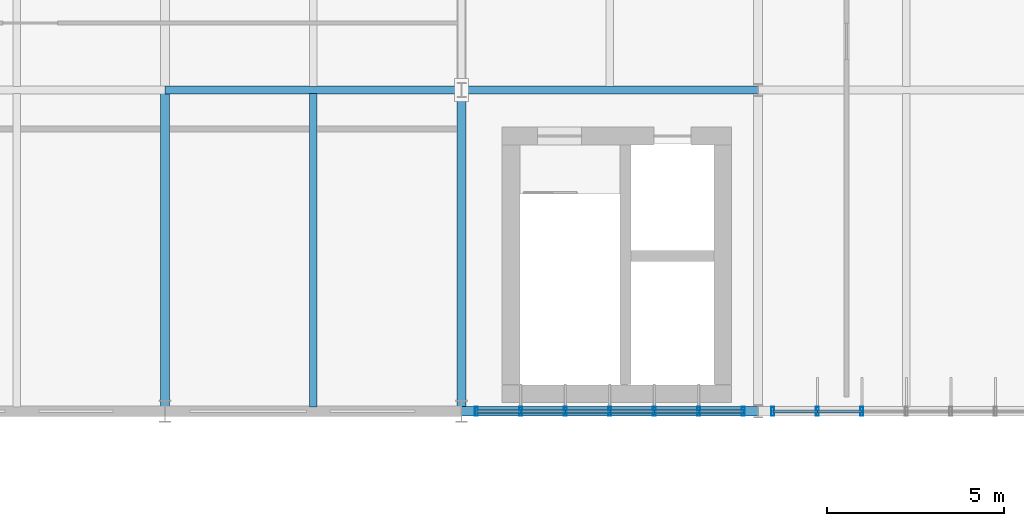
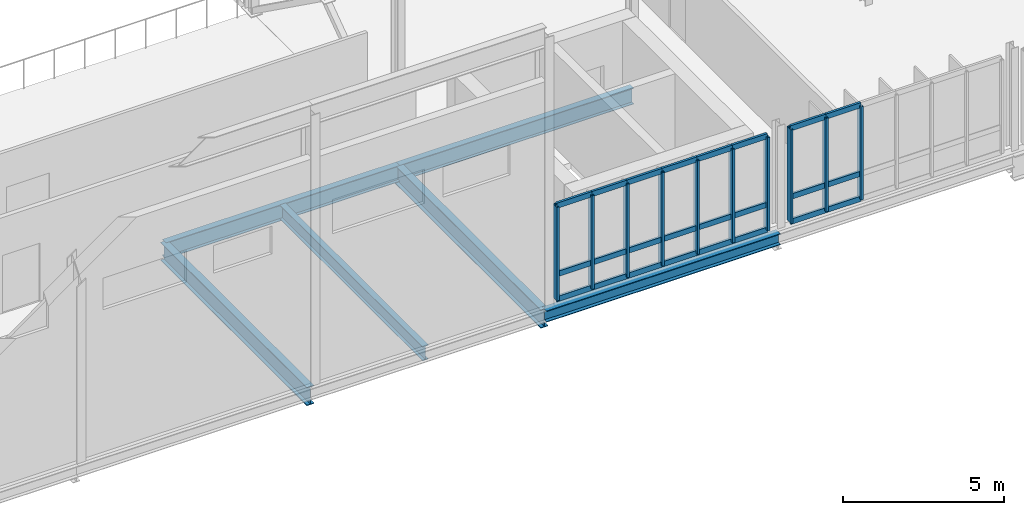
# One storey, part 32 of 61: 34 members, 6 beams, 2 elements without a shape of their own.
"""IFC4 building model written with IfcOpenShell, lengths in metres."""

from ifc_helpers import new_model, si_unit, derived_unit, direction, frame, origin, origin_2d, place, context, subcontext, project, spatial, hollow_rectangle, i_section, extrude, material, layer, layer_set, material_profile, profile_set, type_object, element, aggregate, save


model = new_model("IFC4")

# Units and contexts
model_context = context("Model", 3, precision=1e-05, world=origin(), true_north=direction((0.0, 1.0)))
body_context = subcontext(model_context, "Body", "Model", "MODEL_VIEW")
ifc_project = project(units=[si_unit("LENGTHUNIT", "METRE"), si_unit("AREAUNIT", "SQUARE_METRE"), si_unit("VOLUMEUNIT", "CUBIC_METRE"), si_unit("PLANEANGLEUNIT", "RADIAN"), si_unit("MASSUNIT", "GRAM", prefix="KILO"), derived_unit("THERMALTRANSMITTANCEUNIT", [(si_unit("MASSUNIT", "GRAM", prefix="KILO"), 1), (si_unit("TIMEUNIT", "SECOND"), -3), (si_unit("THERMODYNAMICTEMPERATUREUNIT", "KELVIN"), -1)])], contexts=[model_context])

# Site, building, storey
site_placement = place(None, origin())
site = spatial("IfcSite", under=ifc_project, at=site_placement, CompositionType="ELEMENT")
building_placement = place(site_placement, origin())
building = spatial("IfcBuilding", under=site, at=building_placement, Name="Makaiwela Harbour Ferry Terminal", CompositionType="ELEMENT")
storey_placement = place(building_placement, frame((0.0, 0.0, 13.800048828125)))
storey = spatial("IfcBuildingStorey", under=building, at=storey_placement, Name="L03", CompositionType="ELEMENT", Elevation=13.800048828125)

# Curtain wall, members
ifc_material_1 = material(Name="Marine anodised aluminium 6063-T6", Category="aluminium")
ifc_layer = layer(ifc_material_1, 0.199951171875)
ifc_layer_set = layer_set([ifc_layer], Name="Marine anodised aluminium 6063-T6")
curtain_wall_type = type_object("IfcCurtainWallType", Name="ENV-CW-15", PredefinedType="USERDEFINED", material=ifc_layer_set)
curtain_wall_1_placement = place(storey_placement, origin())
curtain_wall_1 = element("IfcCurtainWall", 1, at=curtain_wall_1_placement, inside=storey, type_object=curtain_wall_type, Name="Unitised Curtain Wall CWA-153", ObjectType="UNITIZED CURTAIN WALL", PredefinedType="USERDEFINED")
ifc_material_profile_1 = material_profile(ifc_material_1, hollow_rectangle(XDim=0.0849609375, YDim=0.25, WallThickness=0.0048828125, at=origin_2d()), Name="CWM-250X85")
ifc_profile_set_1 = profile_set([ifc_material_profile_1], Name="Marine anodised aluminium 6063-T6")
member_type_1 = type_object("IfcMemberType", Name="CW-MUL-250", PredefinedType="MULLION", material=ifc_profile_set_1)
member_1_placement = place(storey_placement, frame((146.580078125, 49.39990234375, 0.0), z_axis=(0.0, 0.0, 1.0), x_axis=(1.0, 0.0, 0.0)))
member_1 = element("IfcMember", 2, at=member_1_placement, type_object=member_type_1, Name="Curtain Wall Mullion CWA-153-1", PredefinedType="MULLION", context=body_context, shape_type="SweptSolid", body=[
    extrude(hollow_rectangle(XDim=0.0849609375, YDim=0.25, WallThickness=0.0048828125, at=origin_2d()), origin(), (0.0, 0.0, 1.0), 3.550048828125),
])
member_2_placement = place(storey_placement, frame((145.320068359375, 49.39990234375, 0.0), z_axis=(0.0, 0.0, 1.0), x_axis=(1.0, 0.0, 0.0)))
member_2 = element("IfcMember", 3, at=member_2_placement, type_object=member_type_1, Name="Curtain Wall Mullion CWA-153-2", PredefinedType="MULLION", context=body_context, shape_type="SweptSolid", body=[
    extrude(hollow_rectangle(XDim=0.0849609375, YDim=0.25, WallThickness=0.0048828125, at=origin_2d()), origin(), (0.0, 0.0, 1.0), 3.550048828125),
])
member_3_placement = place(storey_placement, frame((144.06005859375, 49.39990234375, 0.0), z_axis=(0.0, 0.0, 1.0), x_axis=(1.0, 0.0, 0.0)))
member_3 = element("IfcMember", 4, at=member_3_placement, type_object=member_type_1, Name="Curtain Wall Mullion CWA-153-3", PredefinedType="MULLION", context=body_context, shape_type="SweptSolid", body=[
    extrude(hollow_rectangle(XDim=0.0849609375, YDim=0.25, WallThickness=0.0048828125, at=origin_2d()), origin(), (0.0, 0.0, 1.0), 3.550048828125),
])
member_4_placement = place(storey_placement, frame((142.800048828125, 49.39990234375, 0.0), z_axis=(0.0, 0.0, 1.0), x_axis=(1.0, 0.0, 0.0)))
member_4 = element("IfcMember", 5, at=member_4_placement, type_object=member_type_1, Name="Curtain Wall Mullion CWA-153-4", PredefinedType="MULLION", context=body_context, shape_type="SweptSolid", body=[
    extrude(hollow_rectangle(XDim=0.0849609375, YDim=0.25, WallThickness=0.0048828125, at=origin_2d()), origin(), (0.0, 0.0, 1.0), 3.550048828125),
])
member_5_placement = place(storey_placement, frame((141.5400390625, 49.39990234375, 0.0), z_axis=(0.0, 0.0, 1.0), x_axis=(1.0, 0.0, 0.0)))
member_5 = element("IfcMember", 6, at=member_5_placement, type_object=member_type_1, Name="Curtain Wall Mullion CWA-153-5", PredefinedType="MULLION", context=body_context, shape_type="SweptSolid", body=[
    extrude(hollow_rectangle(XDim=0.0849609375, YDim=0.25, WallThickness=0.0048828125, at=origin_2d()), origin(), (0.0, 0.0, 1.0), 3.550048828125),
])
member_6_placement = place(storey_placement, frame((140.280029296875, 49.39990234375, 0.0), z_axis=(0.0, 0.0, 1.0), x_axis=(1.0, 0.0, 0.0)))
member_6 = element("IfcMember", 7, at=member_6_placement, type_object=member_type_1, Name="Curtain Wall Mullion CWA-153-6", PredefinedType="MULLION", context=body_context, shape_type="SweptSolid", body=[
    extrude(hollow_rectangle(XDim=0.0849609375, YDim=0.25, WallThickness=0.0048828125, at=origin_2d()), origin(), (0.0, 0.0, 1.0), 3.550048828125),
])
member_7_placement = place(storey_placement, frame((139.02001953125, 49.39990234375, 0.0), z_axis=(0.0, 0.0, 1.0), x_axis=(1.0, 0.0, 0.0)))
member_7 = element("IfcMember", 8, at=member_7_placement, type_object=member_type_1, Name="Curtain Wall Mullion CWA-153-7", PredefinedType="MULLION", context=body_context, shape_type="SweptSolid", body=[
    extrude(hollow_rectangle(XDim=0.0849609375, YDim=0.25, WallThickness=0.0048828125, at=origin_2d()), origin(), (0.0, 0.0, 1.0), 3.550048828125),
])

curtain_wall_2_placement = place(storey_placement, origin())
curtain_wall_2 = element("IfcCurtainWall", 9, at=curtain_wall_2_placement, inside=storey, type_object=curtain_wall_type, Name="Unitised Curtain Wall CWA-155", ObjectType="UNITIZED CURTAIN WALL", PredefinedType="USERDEFINED")
member_8_placement = place(storey_placement, frame((149.93994140625, 49.39990234375, 0.0), z_axis=(0.0, 0.0, 1.0), x_axis=(1.0, 0.0, 0.0)))
member_8 = element("IfcMember", 10, at=member_8_placement, type_object=member_type_1, Name="Curtain Wall Mullion CWA-155-5", PredefinedType="MULLION", context=body_context, shape_type="SweptSolid", body=[
    extrude(hollow_rectangle(XDim=0.0849609375, YDim=0.25, WallThickness=0.0048828125, at=origin_2d()), origin(), (0.0, 0.0, 1.0), 3.550048828125),
])
member_9_placement = place(storey_placement, frame((148.679931640625, 49.39990234375, 0.0), z_axis=(0.0, 0.0, 1.0), x_axis=(1.0, 0.0, 0.0)))
member_9 = element("IfcMember", 11, at=member_9_placement, type_object=member_type_1, Name="Curtain Wall Mullion CWA-155-6", PredefinedType="MULLION", context=body_context, shape_type="SweptSolid", body=[
    extrude(hollow_rectangle(XDim=0.0849609375, YDim=0.25, WallThickness=0.0048828125, at=origin_2d()), origin(), (0.0, 0.0, 1.0), 3.550048828125),
])
member_10_placement = place(storey_placement, frame((147.419921875, 49.39990234375, 0.0), z_axis=(0.0, 0.0, 1.0), x_axis=(1.0, 0.0, 0.0)))
member_10 = element("IfcMember", 12, at=member_10_placement, type_object=member_type_1, Name="Curtain Wall Mullion CWA-155-7", PredefinedType="MULLION", context=body_context, shape_type="SweptSolid", body=[
    extrude(hollow_rectangle(XDim=0.0849609375, YDim=0.25, WallThickness=0.0048828125, at=origin_2d()), origin(), (0.0, 0.0, 1.0), 3.550048828125),
])

# Member
ifc_material_profile_2 = material_profile(ifc_material_1, hollow_rectangle(XDim=0.0849609375, YDim=0.199951171875, WallThickness=0.0048828125, at=origin_2d()), Name="CWT-200X85")
ifc_profile_set_2 = profile_set([ifc_material_profile_2], Name="Marine anodised aluminium 6063-T6")
member_type_2 = type_object("IfcMemberType", Name="CW-TRN-200", PredefinedType="USERDEFINED", material=ifc_profile_set_2)
member_11_placement = place(storey_placement, frame((146.580078125, 49.39990234375, 0.0), z_axis=(-1.0, 0.0, 0.0), x_axis=(0.0, -1.0, 0.0)))
member_11 = element("IfcMember", 13, at=member_11_placement, type_object=member_type_2, Name="Curtain Wall Transom CWA-153-1-1", ObjectType="TRANSOM", PredefinedType="USERDEFINED", context=body_context, shape_type="SweptSolid", body=[
    extrude(hollow_rectangle(XDim=0.0849609375, YDim=0.199951171875, WallThickness=0.0048828125, at=origin_2d()), origin(), (0.0, 0.0, 1.0), 1.260009765625),
])

member_12_placement = place(storey_placement, frame((146.580078125, 49.39990234375, 0.949951171875), z_axis=(-1.0, 0.0, 0.0), x_axis=(0.0, -1.0, 0.0)))
member_12 = element("IfcMember", 14, at=member_12_placement, type_object=member_type_2, Name="Curtain Wall Transom CWA-153-1-2", ObjectType="TRANSOM", PredefinedType="USERDEFINED", context=body_context, shape_type="SweptSolid", body=[
    extrude(hollow_rectangle(XDim=0.0849609375, YDim=0.199951171875, WallThickness=0.0048828125, at=origin_2d()), origin(), (0.0, 0.0, 1.0), 1.260009765625),
])

member_13_placement = place(storey_placement, frame((146.580078125, 49.39990234375, 3.550048828125), z_axis=(-1.0, 0.0, 0.0), x_axis=(0.0, -1.0, 0.0)))
member_13 = element("IfcMember", 15, at=member_13_placement, type_object=member_type_2, Name="Curtain Wall Transom CWA-153-1-3", ObjectType="TRANSOM", PredefinedType="USERDEFINED", context=body_context, shape_type="SweptSolid", body=[
    extrude(hollow_rectangle(XDim=0.0849609375, YDim=0.199951171875, WallThickness=0.0048828125, at=origin_2d()), origin(), (0.0, 0.0, 1.0), 1.260009765625),
])

member_14_placement = place(storey_placement, frame((145.320068359375, 49.39990234375, 0.0), z_axis=(-1.0, 0.0, 0.0), x_axis=(0.0, -1.0, 0.0)))
member_14 = element("IfcMember", 16, at=member_14_placement, type_object=member_type_2, Name="Curtain Wall Transom CWA-153-2-1", ObjectType="TRANSOM", PredefinedType="USERDEFINED", context=body_context, shape_type="SweptSolid", body=[
    extrude(hollow_rectangle(XDim=0.0849609375, YDim=0.199951171875, WallThickness=0.0048828125, at=origin_2d()), origin(), (0.0, 0.0, 1.0), 1.260009765625),
])

member_15_placement = place(storey_placement, frame((145.320068359375, 49.39990234375, 0.949951171875), z_axis=(-1.0, 0.0, 0.0), x_axis=(0.0, -1.0, 0.0)))
member_15 = element("IfcMember", 17, at=member_15_placement, type_object=member_type_2, Name="Curtain Wall Transom CWA-153-2-2", ObjectType="TRANSOM", PredefinedType="USERDEFINED", context=body_context, shape_type="SweptSolid", body=[
    extrude(hollow_rectangle(XDim=0.0849609375, YDim=0.199951171875, WallThickness=0.0048828125, at=origin_2d()), origin(), (0.0, 0.0, 1.0), 1.260009765625),
])

member_16_placement = place(storey_placement, frame((145.320068359375, 49.39990234375, 3.550048828125), z_axis=(-1.0, 0.0, 0.0), x_axis=(0.0, -1.0, 0.0)))
member_16 = element("IfcMember", 18, at=member_16_placement, type_object=member_type_2, Name="Curtain Wall Transom CWA-153-2-3", ObjectType="TRANSOM", PredefinedType="USERDEFINED", context=body_context, shape_type="SweptSolid", body=[
    extrude(hollow_rectangle(XDim=0.0849609375, YDim=0.199951171875, WallThickness=0.0048828125, at=origin_2d()), origin(), (0.0, 0.0, 1.0), 1.260009765625),
])

member_17_placement = place(storey_placement, frame((144.06005859375, 49.39990234375, 0.0), z_axis=(-1.0, 0.0, 0.0), x_axis=(0.0, -1.0, 0.0)))
member_17 = element("IfcMember", 19, at=member_17_placement, type_object=member_type_2, Name="Curtain Wall Transom CWA-153-3-1", ObjectType="TRANSOM", PredefinedType="USERDEFINED", context=body_context, shape_type="SweptSolid", body=[
    extrude(hollow_rectangle(XDim=0.0849609375, YDim=0.199951171875, WallThickness=0.0048828125, at=origin_2d()), origin(), (0.0, 0.0, 1.0), 1.260009765625),
])

member_18_placement = place(storey_placement, frame((144.06005859375, 49.39990234375, 0.949951171875), z_axis=(-1.0, 0.0, 0.0), x_axis=(0.0, -1.0, 0.0)))
member_18 = element("IfcMember", 20, at=member_18_placement, type_object=member_type_2, Name="Curtain Wall Transom CWA-153-3-2", ObjectType="TRANSOM", PredefinedType="USERDEFINED", context=body_context, shape_type="SweptSolid", body=[
    extrude(hollow_rectangle(XDim=0.0849609375, YDim=0.199951171875, WallThickness=0.0048828125, at=origin_2d()), origin(), (0.0, 0.0, 1.0), 1.260009765625),
])

member_19_placement = place(storey_placement, frame((144.06005859375, 49.39990234375, 3.550048828125), z_axis=(-1.0, 0.0, 0.0), x_axis=(0.0, -1.0, 0.0)))
member_19 = element("IfcMember", 21, at=member_19_placement, type_object=member_type_2, Name="Curtain Wall Transom CWA-153-3-3", ObjectType="TRANSOM", PredefinedType="USERDEFINED", context=body_context, shape_type="SweptSolid", body=[
    extrude(hollow_rectangle(XDim=0.0849609375, YDim=0.199951171875, WallThickness=0.0048828125, at=origin_2d()), origin(), (0.0, 0.0, 1.0), 1.260009765625),
])

member_20_placement = place(storey_placement, frame((142.800048828125, 49.39990234375, 0.0), z_axis=(-1.0, 0.0, 0.0), x_axis=(0.0, -1.0, 0.0)))
member_20 = element("IfcMember", 22, at=member_20_placement, type_object=member_type_2, Name="Curtain Wall Transom CWA-153-4-1", ObjectType="TRANSOM", PredefinedType="USERDEFINED", context=body_context, shape_type="SweptSolid", body=[
    extrude(hollow_rectangle(XDim=0.0849609375, YDim=0.199951171875, WallThickness=0.0048828125, at=origin_2d()), origin(), (0.0, 0.0, 1.0), 1.260009765625),
])

member_21_placement = place(storey_placement, frame((142.800048828125, 49.39990234375, 0.949951171875), z_axis=(-1.0, 0.0, 0.0), x_axis=(0.0, -1.0, 0.0)))
member_21 = element("IfcMember", 23, at=member_21_placement, type_object=member_type_2, Name="Curtain Wall Transom CWA-153-4-2", ObjectType="TRANSOM", PredefinedType="USERDEFINED", context=body_context, shape_type="SweptSolid", body=[
    extrude(hollow_rectangle(XDim=0.0849609375, YDim=0.199951171875, WallThickness=0.0048828125, at=origin_2d()), origin(), (0.0, 0.0, 1.0), 1.260009765625),
])

member_22_placement = place(storey_placement, frame((142.800048828125, 49.39990234375, 3.550048828125), z_axis=(-1.0, 0.0, 0.0), x_axis=(0.0, -1.0, 0.0)))
member_22 = element("IfcMember", 24, at=member_22_placement, type_object=member_type_2, Name="Curtain Wall Transom CWA-153-4-3", ObjectType="TRANSOM", PredefinedType="USERDEFINED", context=body_context, shape_type="SweptSolid", body=[
    extrude(hollow_rectangle(XDim=0.0849609375, YDim=0.199951171875, WallThickness=0.0048828125, at=origin_2d()), origin(), (0.0, 0.0, 1.0), 1.260009765625),
])

member_23_placement = place(storey_placement, frame((141.5400390625, 49.39990234375, 0.0), z_axis=(-1.0, 0.0, 0.0), x_axis=(0.0, -1.0, 0.0)))
member_23 = element("IfcMember", 25, at=member_23_placement, type_object=member_type_2, Name="Curtain Wall Transom CWA-153-5-1", ObjectType="TRANSOM", PredefinedType="USERDEFINED", context=body_context, shape_type="SweptSolid", body=[
    extrude(hollow_rectangle(XDim=0.0849609375, YDim=0.199951171875, WallThickness=0.0048828125, at=origin_2d()), origin(), (0.0, 0.0, 1.0), 1.260009765625),
])

member_24_placement = place(storey_placement, frame((141.5400390625, 49.39990234375, 0.949951171875), z_axis=(-1.0, 0.0, 0.0), x_axis=(0.0, -1.0, 0.0)))
member_24 = element("IfcMember", 26, at=member_24_placement, type_object=member_type_2, Name="Curtain Wall Transom CWA-153-5-2", ObjectType="TRANSOM", PredefinedType="USERDEFINED", context=body_context, shape_type="SweptSolid", body=[
    extrude(hollow_rectangle(XDim=0.0849609375, YDim=0.199951171875, WallThickness=0.0048828125, at=origin_2d()), origin(), (0.0, 0.0, 1.0), 1.260009765625),
])

member_25_placement = place(storey_placement, frame((141.5400390625, 49.39990234375, 3.550048828125), z_axis=(-1.0, 0.0, 0.0), x_axis=(0.0, -1.0, 0.0)))
member_25 = element("IfcMember", 27, at=member_25_placement, type_object=member_type_2, Name="Curtain Wall Transom CWA-153-5-3", ObjectType="TRANSOM", PredefinedType="USERDEFINED", context=body_context, shape_type="SweptSolid", body=[
    extrude(hollow_rectangle(XDim=0.0849609375, YDim=0.199951171875, WallThickness=0.0048828125, at=origin_2d()), origin(), (0.0, 0.0, 1.0), 1.260009765625),
])

member_26_placement = place(storey_placement, frame((140.280029296875, 49.39990234375, 0.0), z_axis=(-1.0, 0.0, 0.0), x_axis=(0.0, -1.0, 0.0)))
member_26 = element("IfcMember", 28, at=member_26_placement, type_object=member_type_2, Name="Curtain Wall Transom CWA-153-6-1", ObjectType="TRANSOM", PredefinedType="USERDEFINED", context=body_context, shape_type="SweptSolid", body=[
    extrude(hollow_rectangle(XDim=0.0849609375, YDim=0.199951171875, WallThickness=0.0048828125, at=origin_2d()), origin(), (0.0, 0.0, 1.0), 1.260009765625),
])

member_27_placement = place(storey_placement, frame((140.280029296875, 49.39990234375, 0.949951171875), z_axis=(-1.0, 0.0, 0.0), x_axis=(0.0, -1.0, 0.0)))
member_27 = element("IfcMember", 29, at=member_27_placement, type_object=member_type_2, Name="Curtain Wall Transom CWA-153-6-2", ObjectType="TRANSOM", PredefinedType="USERDEFINED", context=body_context, shape_type="SweptSolid", body=[
    extrude(hollow_rectangle(XDim=0.0849609375, YDim=0.199951171875, WallThickness=0.0048828125, at=origin_2d()), origin(), (0.0, 0.0, 1.0), 1.260009765625),
])

member_28_placement = place(storey_placement, frame((140.280029296875, 49.39990234375, 3.550048828125), z_axis=(-1.0, 0.0, 0.0), x_axis=(0.0, -1.0, 0.0)))
member_28 = element("IfcMember", 30, at=member_28_placement, type_object=member_type_2, Name="Curtain Wall Transom CWA-153-6-3", ObjectType="TRANSOM", PredefinedType="USERDEFINED", context=body_context, shape_type="SweptSolid", body=[
    extrude(hollow_rectangle(XDim=0.0849609375, YDim=0.199951171875, WallThickness=0.0048828125, at=origin_2d()), origin(), (0.0, 0.0, 1.0), 1.260009765625),
])

aggregate(curtain_wall_1, [member_1, member_2, member_3, member_4, member_5, member_6, member_7, member_11, member_12, member_13, member_14, member_15, member_16, member_17, member_18, member_19, member_20, member_21, member_22, member_23, member_24, member_25, member_26, member_27, member_28])

member_29_placement = place(storey_placement, frame((149.93994140625, 49.39990234375, 0.0), z_axis=(-1.0, 0.0, 0.0), x_axis=(0.0, -1.0, 0.0)))
member_29 = element("IfcMember", 31, at=member_29_placement, type_object=member_type_2, Name="Curtain Wall Transom CWA-155-5-1", ObjectType="TRANSOM", PredefinedType="USERDEFINED", context=body_context, shape_type="SweptSolid", body=[
    extrude(hollow_rectangle(XDim=0.0849609375, YDim=0.199951171875, WallThickness=0.0048828125, at=origin_2d()), origin(), (0.0, 0.0, 1.0), 1.260009765625),
])

member_30_placement = place(storey_placement, frame((149.93994140625, 49.39990234375, 0.949951171875), z_axis=(-1.0, 0.0, 0.0), x_axis=(0.0, -1.0, 0.0)))
member_30 = element("IfcMember", 32, at=member_30_placement, type_object=member_type_2, Name="Curtain Wall Transom CWA-155-5-2", ObjectType="TRANSOM", PredefinedType="USERDEFINED", context=body_context, shape_type="SweptSolid", body=[
    extrude(hollow_rectangle(XDim=0.0849609375, YDim=0.199951171875, WallThickness=0.0048828125, at=origin_2d()), origin(), (0.0, 0.0, 1.0), 1.260009765625),
])

member_31_placement = place(storey_placement, frame((149.93994140625, 49.39990234375, 3.550048828125), z_axis=(-1.0, 0.0, 0.0), x_axis=(0.0, -1.0, 0.0)))
member_31 = element("IfcMember", 33, at=member_31_placement, type_object=member_type_2, Name="Curtain Wall Transom CWA-155-5-3", ObjectType="TRANSOM", PredefinedType="USERDEFINED", context=body_context, shape_type="SweptSolid", body=[
    extrude(hollow_rectangle(XDim=0.0849609375, YDim=0.199951171875, WallThickness=0.0048828125, at=origin_2d()), origin(), (0.0, 0.0, 1.0), 1.260009765625),
])

member_32_placement = place(storey_placement, frame((148.679931640625, 49.39990234375, 0.0), z_axis=(-1.0, 0.0, 0.0), x_axis=(0.0, -1.0, 0.0)))
member_32 = element("IfcMember", 34, at=member_32_placement, type_object=member_type_2, Name="Curtain Wall Transom CWA-155-6-1", ObjectType="TRANSOM", PredefinedType="USERDEFINED", context=body_context, shape_type="SweptSolid", body=[
    extrude(hollow_rectangle(XDim=0.0849609375, YDim=0.199951171875, WallThickness=0.0048828125, at=origin_2d()), origin(), (0.0, 0.0, 1.0), 1.260009765625),
])

member_33_placement = place(storey_placement, frame((148.679931640625, 49.39990234375, 0.949951171875), z_axis=(-1.0, 0.0, 0.0), x_axis=(0.0, -1.0, 0.0)))
member_33 = element("IfcMember", 35, at=member_33_placement, type_object=member_type_2, Name="Curtain Wall Transom CWA-155-6-2", ObjectType="TRANSOM", PredefinedType="USERDEFINED", context=body_context, shape_type="SweptSolid", body=[
    extrude(hollow_rectangle(XDim=0.0849609375, YDim=0.199951171875, WallThickness=0.0048828125, at=origin_2d()), origin(), (0.0, 0.0, 1.0), 1.260009765625),
])

member_34_placement = place(storey_placement, frame((148.679931640625, 49.39990234375, 3.550048828125), z_axis=(-1.0, 0.0, 0.0), x_axis=(0.0, -1.0, 0.0)))
member_34 = element("IfcMember", 36, at=member_34_placement, type_object=member_type_2, Name="Curtain Wall Transom CWA-155-6-3", ObjectType="TRANSOM", PredefinedType="USERDEFINED", context=body_context, shape_type="SweptSolid", body=[
    extrude(hollow_rectangle(XDim=0.0849609375, YDim=0.199951171875, WallThickness=0.0048828125, at=origin_2d()), origin(), (0.0, 0.0, 1.0), 1.260009765625),
])

aggregate(curtain_wall_2, [member_8, member_9, member_10, member_29, member_30, member_31, member_32, member_33, member_34])

# Beams
ifc_material_2 = material(Name="Steel ASTM A992 Grade 50", Category="steel")
ifc_material_profile_3 = material_profile(ifc_material_2, i_section(OverallWidth=0.2099609375, OverallDepth=0.537109375, WebThickness=0.010986328125, FlangeThickness=0.017333984375, at=origin_2d()), Name="W21X68")
ifc_profile_set_3 = profile_set([ifc_material_profile_3], Name="Steel ASTM A992 Grade 50")
beam_type_1 = type_object("IfcBeamType", Name="STR-BM-W21X68", PredefinedType="BEAM", material=ifc_profile_set_3)
beam_1_placement = place(storey_placement, frame((134.39990234375, 49.514404296875, -0.508544921875), z_axis=(0.0, 1.0, 0.0), x_axis=(-1.0, 0.0, 0.0)))
element("IfcBeam", 37, at=beam_1_placement, inside=storey, type_object=beam_type_1, Name="Secondary floor beam 1648", PredefinedType="BEAM", context=body_context, shape_type="SweptSolid", body=[
    extrude(i_section(OverallWidth=0.2099609375, OverallDepth=0.537109375, WebThickness=0.010986328125, FlangeThickness=0.017333984375, at=origin_2d()), origin(), (0.0, 0.0, 1.0), 8.88916015625),
])
ifc_material_profile_4 = material_profile(ifc_material_2, i_section(OverallWidth=0.22900390625, OverallDepth=0.612060546875, WebThickness=0.011962890625, FlangeThickness=0.01953125, at=origin_2d()), Name="W24X84")
ifc_profile_set_4 = profile_set([ifc_material_profile_4], Name="Steel ASTM A992 Grade 50")
beam_type_2 = type_object("IfcBeamType", Name="STR-GRD-W24X84", PredefinedType="USERDEFINED", material=ifc_profile_set_4)
beam_2_placement = place(storey_placement, frame((130.199951171875, 58.5, -0.546142578125), z_axis=(1.0, 0.0, 0.0), x_axis=(0.0, 1.0, 0.0)))
element("IfcBeam", 38, at=beam_2_placement, inside=storey, type_object=beam_type_2, Name="Primary X girder 1573", ObjectType="GIRDER", PredefinedType="USERDEFINED", context=body_context, shape_type="SweptSolid", body=[
    extrude(i_section(OverallWidth=0.22900390625, OverallDepth=0.612060546875, WebThickness=0.011962890625, FlangeThickness=0.01953125, at=origin_2d()), origin(), (0.0, 0.0, 1.0), 8.400146484375),
])
beam_3_placement = place(storey_placement, frame((138.60009765625, 58.5, -0.546142578125), z_axis=(1.0, 0.0, 0.0), x_axis=(0.0, 1.0, 0.0)))
element("IfcBeam", 39, at=beam_3_placement, inside=storey, type_object=beam_type_2, Name="Primary X girder 1574", ObjectType="GIRDER", PredefinedType="USERDEFINED", context=body_context, shape_type="SweptSolid", body=[
    extrude(i_section(OverallWidth=0.22900390625, OverallDepth=0.612060546875, WebThickness=0.011962890625, FlangeThickness=0.01953125, at=origin_2d()), origin(), (0.0, 0.0, 1.0), 8.39990234375),
])
ifc_material_profile_5 = material_profile(ifc_material_2, i_section(OverallWidth=0.256103515625, OverallDepth=0.693115234375, WebThickness=0.014404296875, FlangeThickness=0.023681640625, at=origin_2d()), Name="W27X114")
ifc_profile_set_5 = profile_set([ifc_material_profile_5], Name="Steel ASTM A992 Grade 50")
beam_type_3 = type_object("IfcBeamType", Name="STR-GRD-W27X114", PredefinedType="USERDEFINED", material=ifc_profile_set_5)
for number, where, z_axis, x_axis, name in (
    (40, (130.199951171875, 49.39990234375, -0.586669921875), (0.0, 1.0, 0.0), (-1.0, 0.0, 0.0), "Primary Y girder 1614"),
    (41, (138.60009765625, 49.39990234375, -0.586669921875), (0.0, 1.0, 0.0), (-1.0, 0.0, 0.0), "Primary Y girder 1616"),
):
    element("IfcBeam", number, at=place(storey_placement, frame(where, z_axis=z_axis, x_axis=x_axis)), inside=storey, type_object=beam_type_3, Name=name, ObjectType="GIRDER", PredefinedType="USERDEFINED", context=body_context, shape_type="SweptSolid", body=[
        extrude(i_section(OverallWidth=0.256103515625, OverallDepth=0.693115234375, WebThickness=0.014404296875, FlangeThickness=0.023681640625, at=origin_2d()), origin(), (0.0, 0.0, 1.0), 9.10009765625),
    ])
ifc_material_profile_6 = material_profile(ifc_material_2, i_section(OverallWidth=0.264892578125, OverallDepth=0.430908203125, WebThickness=0.014892578125, FlangeThickness=0.02490234375, at=origin_2d()), Name="W16X100")
ifc_profile_set_6 = profile_set([ifc_material_profile_6], Name="Steel ASTM A992 Grade 50")
beam_type_4 = type_object("IfcBeamType", Name="STR-SPN-W16X100", PredefinedType="SPANDREL", material=ifc_profile_set_6)
beam_4_placement = place(storey_placement, frame((138.60009765625, 49.39990234375, -0.45556640625), z_axis=(1.0, 0.0, 0.0), x_axis=(0.0, 1.0, 0.0)))
element("IfcBeam", 42, at=beam_4_placement, inside=storey, type_object=beam_type_4, Name="Primary X girder 1562", PredefinedType="SPANDREL", context=body_context, shape_type="SweptSolid", body=[
    extrude(i_section(OverallWidth=0.264892578125, OverallDepth=0.430908203125, WebThickness=0.014892578125, FlangeThickness=0.02490234375, at=origin_2d()), origin(), (0.0, 0.0, 1.0), 8.39990234375),
])

save(model, "model.ifc")
